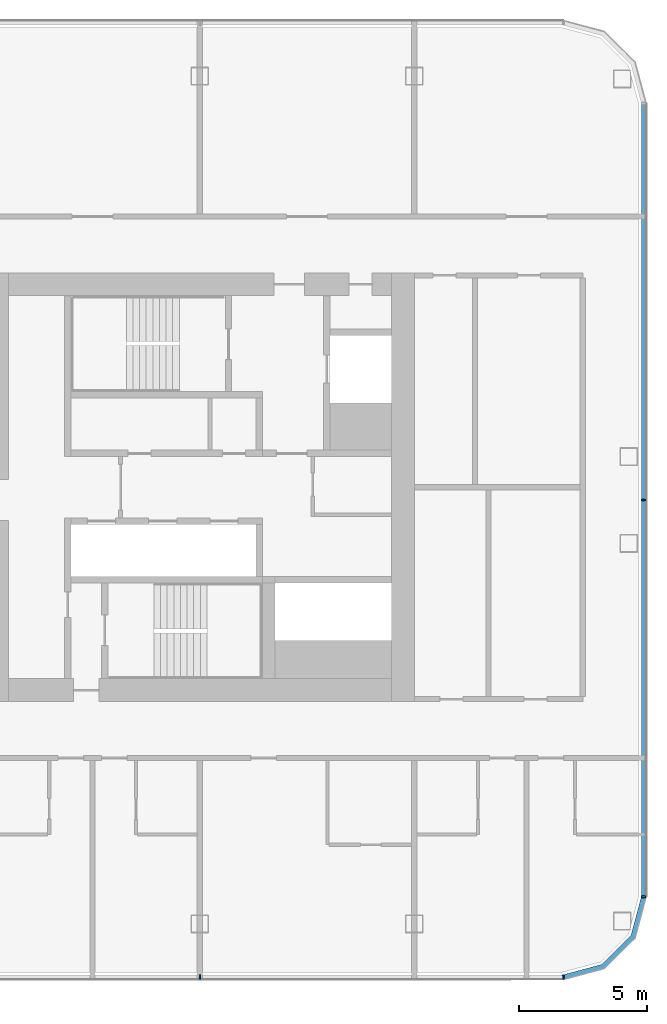
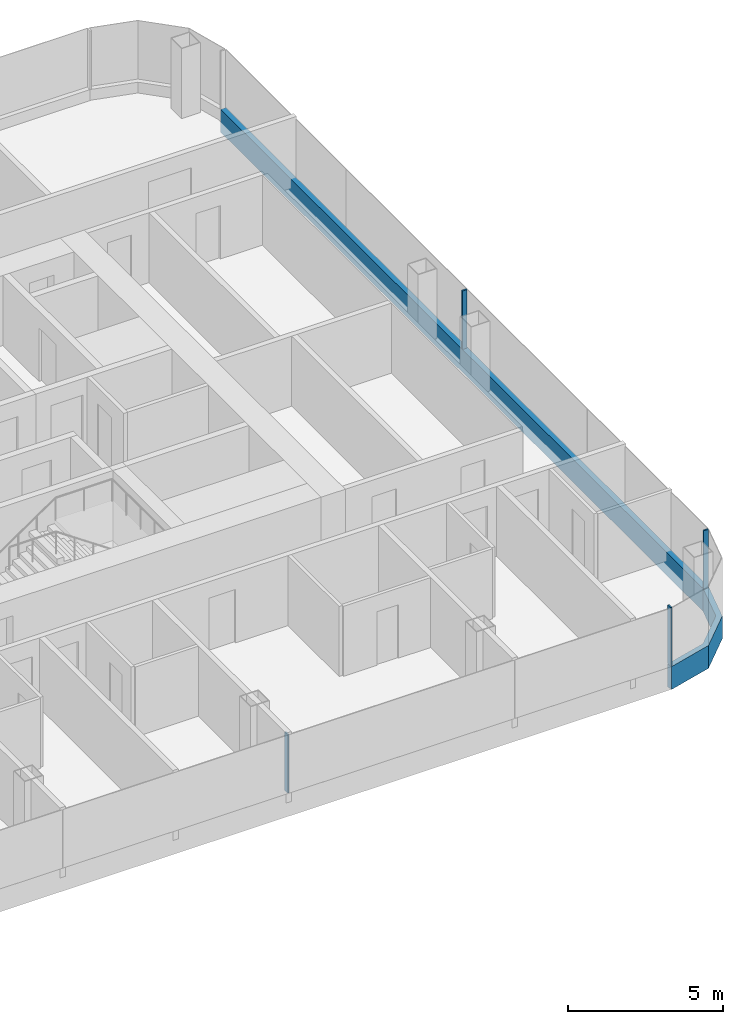
# One storey, part 9 of 26: 6 members, 3 elements without a shape of their own.
"""IFC4 building model written with IfcOpenShell, lengths in metres."""

from ifc_helpers import new_model, si_unit, direction, frame, origin, origin_2d, place, context, subcontext, project, spatial, polyline, rectangle, outline, extrude, material, layer, layer_set, material_profile, profile_set, type_object, element, aggregate, save


model = new_model("IFC4")

# Units and contexts
model_context = context("Model", 3, precision=1e-05, world=origin(), true_north=direction((0.0, 1.0)))
body_context = subcontext(model_context, "Body", "Model", "MODEL_VIEW")
ifc_project = project(units=[si_unit("LENGTHUNIT", "METRE"), si_unit("AREAUNIT", "SQUARE_METRE"), si_unit("VOLUMEUNIT", "CUBIC_METRE"), si_unit("PLANEANGLEUNIT", "RADIAN"), si_unit("MASSUNIT", "GRAM", prefix="KILO")], contexts=[model_context])

# Site, building, storey
site_placement = place(None, origin())
site = spatial("IfcSite", under=ifc_project, at=site_placement, CompositionType="ELEMENT")
building_placement = place(site_placement, origin())
building = spatial("IfcBuilding", under=site, at=building_placement, Name="Hakoniwa Tower and Hamabe Station Hall", CompositionType="ELEMENT")
storey_placement = place(building_placement, frame((0.0, 0.0, 140.60009765625)))
storey = spatial("IfcBuildingStorey", under=building, at=storey_placement, Name="L39", CompositionType="ELEMENT", Elevation=140.60009765625)

# Curtain wall, member
ifc_material_1 = material(Name="Dark low-e laminated glass", Category="glass")
ifc_layer = layer(ifc_material_1, 0.199951171875)
ifc_layer_set = layer_set([ifc_layer], Name="CW-1 UNITISED GUEST")
curtain_wall_type = type_object("IfcCurtainWallType", Name="CW-1 UNITISED GUEST", PredefinedType="NOTDEFINED", material=ifc_layer_set)
curtain_wall_1_placement = place(storey_placement, origin())
curtain_wall_1 = element("IfcCurtainWall", 1, at=curtain_wall_1_placement, inside=storey, type_object=curtain_wall_type, Name="CW-1 curtain wall", PredefinedType="NOTDEFINED")
ifc_material_2 = material(Name="Aluminium 6063-T5 black anodised", Category="aluminium")
ifc_material_profile_1 = material_profile(ifc_material_2, rectangle(XDim=0.199951171875, YDim=0.89990234375, at=origin_2d()), Name="CW SLAB-EDGE BAND 900X200")
ifc_profile_set_1 = profile_set([ifc_material_profile_1], Name="Aluminium 6063-T5 black anodised")
member_type_1 = type_object("IfcMemberType", Name="CW SLAB-EDGE BAND 900X200", PredefinedType="USERDEFINED", material=ifc_profile_set_1)
member_1_placement = place(storey_placement, frame((42.60009765625, -16.03955078125, -0.10009765625), z_axis=(0.0, 1.0, 0.0), x_axis=(-1.0, 0.0, 0.0)))
member_1 = element("IfcMember", 2, at=member_1_placement, type_object=member_type_1, Name="CW-1 transom", ObjectType="TRANSOM", PredefinedType="USERDEFINED", context=body_context, shape_type="SweptSolid", body=[
    extrude(rectangle(XDim=0.199951171875, YDim=0.89990234375, at=origin_2d()), origin(), (0.0, 0.0, 1.0), 31.0791015625),
])

curtain_wall_2_placement = place(storey_placement, origin())
curtain_wall_2 = element("IfcCurtainWall", 3, at=curtain_wall_2_placement, inside=storey, type_object=curtain_wall_type, Name="CW-1 curtain wall", PredefinedType="NOTDEFINED")
member_2_placement = place(storey_placement, frame((0.0, 0.0, -0.550048828125)))
member_2 = element("IfcMember", 4, at=member_2_placement, type_object=member_type_1, Name="CW-1 transom", ObjectType="TRANSOM", PredefinedType="USERDEFINED", context=body_context, shape_type="SweptSolid", body=[
    extrude(outline(polyline([(39.439453125, -19.300048828125), (41.05517578125, -18.866943359375), (42.26708984375, -17.6552734375), (42.699951171875, -16.03955078125), (42.5068359375, -15.98779296875), (42.087646484375, -17.5517578125), (40.95166015625, -18.687744140625), (39.3876953125, -19.10693359375), (39.439453125, -19.300048828125)])), origin(), (0.0, 0.0, 1.0), 0.89990234375),
])
aggregate(curtain_wall_2, [member_2])

# Member
ifc_material_3 = material(Name="Aluminium 6063-T5 black anodised", Category="aluminium")
ifc_material_profile_2 = material_profile(ifc_material_3, rectangle(XDim=0.06005859375, YDim=0.179931640625, at=origin_2d()), Name="CW-1 MULLION 60X180")
ifc_profile_set_2 = profile_set([ifc_material_profile_2], Name="Aluminium 6063-T5 black anodised")
member_type_2 = type_object("IfcMemberType", Name="CW-1 MULLION 60X180", PredefinedType="MULLION", material=ifc_profile_set_2)
member_3_placement = place(storey_placement, frame((42.58203125, -16.03955078125, 0.349853515625), z_axis=(0.0, 0.0, 1.0), x_axis=(0.0, 1.0, 0.0)))
member_3 = element("IfcMember", 5, at=member_3_placement, type_object=member_type_2, Name="CW-1 mullion", PredefinedType="MULLION", context=body_context, shape_type="SweptSolid", body=[
    extrude(rectangle(XDim=0.06005859375, YDim=0.179931640625, at=origin_2d()), origin(), (0.0, 0.0, 1.0), 2.300048828125),
])

member_4_placement = place(storey_placement, frame((42.58203125, -0.5, 0.349853515625), z_axis=(0.0, 0.0, 1.0), x_axis=(0.0, 1.0, 0.0)))
member_4 = element("IfcMember", 6, at=member_4_placement, type_object=member_type_2, Name="CW-1 mullion", PredefinedType="MULLION", context=body_context, shape_type="SweptSolid", body=[
    extrude(rectangle(XDim=0.06005859375, YDim=0.179931640625, at=origin_2d()), origin(), (0.0, 0.0, 1.0), 2.300048828125),
])

aggregate(curtain_wall_1, [member_3, member_4, member_1])

# Curtain wall, members
curtain_wall_3_placement = place(storey_placement, origin())
curtain_wall_3 = element("IfcCurtainWall", 7, at=curtain_wall_3_placement, inside=storey, type_object=curtain_wall_type, Name="CW-1 curtain wall", PredefinedType="NOTDEFINED")
member_5_placement = place(storey_placement, frame((25.199951171875, -19.181884765625, 0.349853515625), z_axis=(0.0, 0.0, 1.0), x_axis=(1.0, 0.0, 0.0)))
member_5 = element("IfcMember", 8, at=member_5_placement, type_object=member_type_2, Name="CW-1 mullion", PredefinedType="MULLION", context=body_context, shape_type="SweptSolid", body=[
    extrude(rectangle(XDim=0.06005859375, YDim=0.179931640625, at=origin_2d()), origin(), (0.0, 0.0, 1.0), 2.300048828125),
])
member_6_placement = place(storey_placement, frame((39.439453125, -19.181884765625, 0.349853515625), z_axis=(0.0, 0.0, 1.0), x_axis=(1.0, 0.0, 0.0)))
member_6 = element("IfcMember", 9, at=member_6_placement, type_object=member_type_2, Name="CW-1 mullion", PredefinedType="MULLION", context=body_context, shape_type="SweptSolid", body=[
    extrude(rectangle(XDim=0.06005859375, YDim=0.179931640625, at=origin_2d()), origin(), (0.0, 0.0, 1.0), 2.300048828125),
])
aggregate(curtain_wall_3, [member_5, member_6])

save(model, "model.ifc")
